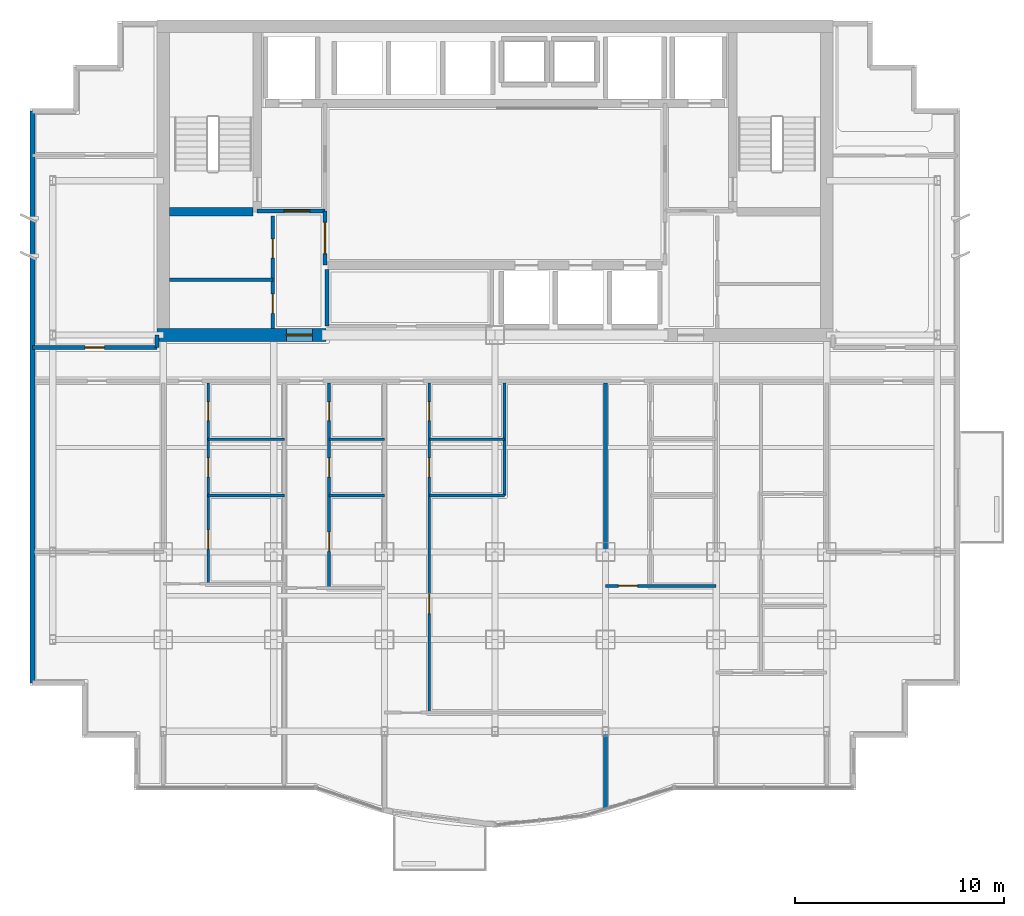
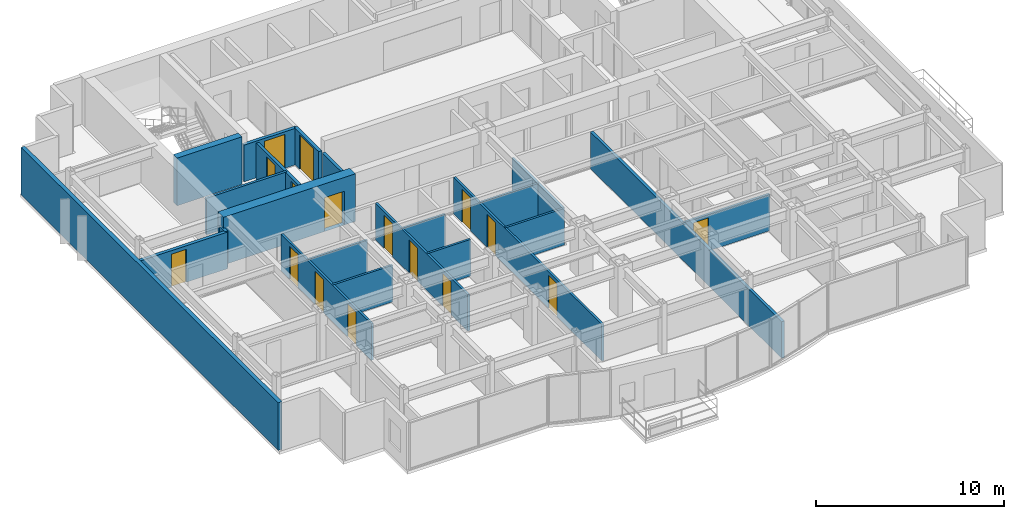
# One storey, part 6 of 11: 22 walls, 16 doors, 16 openings.
"""IFC4 building model written with IfcOpenShell, lengths in metres."""

import ifcopenshell
import ifcopenshell.guid

model = None  # the IFC model being written
_history = None  # IfcOwnerHistory: only IFC2X3 demands one
_inside = {}  # id of a spatial element -> (the spatial element, [elements in it])
_under = {}  # id of a project, library or spatial element -> (it, [spatial elements below it])
_declared = {}  # id of a project -> (the project, [libraries it declares])
_typed = {}  # id of a type object -> (the type object, [elements of that type])
_made_of = {}  # id of a material, layer set ... -> (it, [elements and type objects made of it])


def new_model(schema):
    """Start an empty IFC model of exactly this schema.

    Asked for "IFC4X3", IfcOpenShell would pick the latest addendum, in which some entities
    have other attributes; the version numbers below select the first issue.
    IFC2X3 requires an IfcOwnerHistory on every rooted entity: one is made here for all.
    """
    global model, _history
    if schema == "IFC4X3":
        model = ifcopenshell.file(schema_version=(4, 3, 0, 0))
    else:
        model = ifcopenshell.file(schema=schema)
    _inside.clear()
    _under.clear()
    _declared.clear()
    _typed.clear()
    _made_of.clear()
    _history = None
    if model.schema == "IFC2X3":
        org = make("IfcOrganization", Name="unknown")
        user = make(
            "IfcPersonAndOrganization",
            ThePerson=make("IfcPerson", FamilyName="unknown"),
            TheOrganization=org,
        )
        app = make(
            "IfcApplication",
            ApplicationDeveloper=org,
            Version="unknown",
            ApplicationFullName="unknown",
            ApplicationIdentifier="unknown",
        )
        _history = make(
            "IfcOwnerHistory",
            OwningUser=user,
            OwningApplication=app,
            ChangeAction="ADDED",
            CreationDate=0,
        )
    return model


def make(cls, **values):
    """One entity of the class cls with the attributes given. An attribute that is None is left unset."""
    return model.create_entity(
        cls, **{name: value for name, value in values.items() if value is not None}
    )


def rooted(cls, **values):
    """An entity with a GlobalId (a new one), such as an element, a storey or a relation."""
    return make(cls, GlobalId=ifcopenshell.guid.new(), OwnerHistory=_history, **values)


def si_unit(unit_type, name, prefix=None):
    """IfcSIUnit, for example si_unit("LENGTHUNIT", "METRE", prefix="MILLI")."""
    return make("IfcSIUnit", UnitType=unit_type, Prefix=prefix, Name=name)


def assignment(units):
    """IfcUnitAssignment: the units of a project."""
    return None if units is None else make("IfcUnitAssignment", Units=units)


def point(xyz):
    """IfcCartesianPoint."""
    return None if xyz is None else make("IfcCartesianPoint", Coordinates=xyz)


def direction(xyz):
    """IfcDirection."""
    return None if xyz is None else make("IfcDirection", DirectionRatios=xyz)


def frame(location, z_axis=None, x_axis=None):
    """IfcAxis2Placement3D, a coordinate frame: its origin and axes. An axis left out is left unset."""
    return make(
        "IfcAxis2Placement3D",
        Location=point(location),
        Axis=direction(z_axis),
        RefDirection=direction(x_axis),
    )


def frame_2d(location, x_axis=None):
    """IfcAxis2Placement2D, a coordinate frame in the plane: its origin and x axis."""
    return make(
        "IfcAxis2Placement2D", Location=point(location), RefDirection=direction(x_axis)
    )


def origin():
    """The frame at (0, 0, 0) with its axes left unset."""
    return frame((0.0, 0.0, 0.0))


def place(relative_to, where):
    """IfcLocalPlacement: puts the frame where relative to a parent placement (None: the world)."""
    return make(
        "IfcLocalPlacement", PlacementRelTo=relative_to, RelativePlacement=where
    )


def context(
    kind, dimensions, precision=None, world=None, true_north=None, identifier=None
):
    """IfcGeometricRepresentationContext, for example the 3D "Model" context."""
    return make(
        "IfcGeometricRepresentationContext",
        ContextIdentifier=identifier,
        ContextType=kind,
        CoordinateSpaceDimension=dimensions,
        Precision=precision,
        WorldCoordinateSystem=world,
        TrueNorth=true_north,
    )


def subcontext(parent, identifier, kind, view, scale=None):
    """IfcGeometricRepresentationSubContext, for example "Body" below "Model"."""
    return make(
        "IfcGeometricRepresentationSubContext",
        ContextIdentifier=identifier,
        ContextType=kind,
        ParentContext=parent,
        TargetScale=scale,
        TargetView=view,
    )


def project(units=None, contexts=None):
    """IfcProject with its units and contexts."""
    return rooted(
        "IfcProject",
        Name="project",
        RepresentationContexts=contexts,
        UnitsInContext=assignment(units),
    )


def spatial(cls, under=None, at=None, **own):
    """A site, building, storey or space (cls), placed at a placement, below another one or the project."""
    s = rooted(cls, ObjectPlacement=at, **own)
    if under is not None:
        _under.setdefault(under.id(), (under, []))[1].append(s)
    return s


def profile(cls, at=None, kind="AREA", **sizes):
    """A parametric profile (cls). Its sizes go by their IFC names, for example OverallWidth=200.0."""
    return make(cls, ProfileType=kind, Position=at, **sizes)


def rectangle(**sizes):
    """IfcRectangleProfileDef."""
    return profile("IfcRectangleProfileDef", **sizes)


def extrude(swept, where, along, depth):
    """IfcExtrudedAreaSolid: the profile swept, set in the frame where, extruded along a direction by depth."""
    return make(
        "IfcExtrudedAreaSolid",
        SweptArea=swept,
        Position=where,
        ExtrudedDirection=direction(along),
        Depth=depth,
    )


def shape(context_of_items, identifier, shape_type, items):
    """IfcShapeRepresentation: the items that make up one representation, for example the "Body"."""
    return make(
        "IfcShapeRepresentation",
        ContextOfItems=context_of_items,
        RepresentationIdentifier=identifier,
        RepresentationType=shape_type,
        Items=items,
    )


def material(Name=None, Category=None):
    """IfcMaterial."""
    return make("IfcMaterial", Name=Name, Category=Category)


def layer(
    of_material, thickness, ventilated=None, Name=None, Category=None, Priority=None
):
    """IfcMaterialLayer: one layer of a wall or slab, of a material (None: an air gap)."""
    return make(
        "IfcMaterialLayer",
        Material=of_material,
        LayerThickness=thickness,
        IsVentilated=ventilated,
        Name=Name,
        Category=Category,
        Priority=Priority,
    )


def layer_set(layers, Name=None):
    """IfcMaterialLayerSet."""
    return make("IfcMaterialLayerSet", MaterialLayers=layers, LayerSetName=Name)


def made_of(thing, what):
    """Note that an element or type object is made of a material, layer set ...; save() writes the relation."""
    if what is not None:
        _made_of.setdefault(what.id(), (what, []))[1].append(thing)
    return thing


def type_object(cls, material=None, **own):
    """A type object (cls), such as IfcWallType, which elements share."""
    return made_of(rooted(cls, **own), material)


def element(
    cls,
    number,
    at=None,
    inside=None,
    cuts=None,
    type_object=None,
    material=None,
    context=None,
    identifier="Body",
    shape_type=None,
    held_by="IfcProductDefinitionShape",
    body=None,
    shapes=None,
    **own,
):
    """One element of the class cls, such as IfcWall. Its Tag is "e" and its number.

    at: its placement. inside: the storey or other place that contains it. cuts: it is an
    opening in that element (IfcRelVoidsElement). A single representation is given by context,
    identifier, shape_type and body (its items); several are given by shapes. held_by: the class
    of the entity that holds the representations. save() writes the other relations.
    """
    e = rooted(cls, Tag="e%d" % number, ObjectPlacement=at, **own)
    if body is not None:
        shapes = [shape(context, identifier, shape_type, body)]
    if shapes is not None:
        e.Representation = make(held_by, Representations=shapes)
    if inside is not None:
        _inside.setdefault(inside.id(), (inside, []))[1].append(e)
    if cuts is not None:
        rooted(
            "IfcRelVoidsElement", RelatingBuildingElement=cuts, RelatedOpeningElement=e
        )
    if type_object is not None:
        _typed.setdefault(type_object.id(), (type_object, []))[1].append(e)
    return made_of(e, material)


def fill(opening, filler):
    """IfcRelFillsElement: the door or window that sits in an opening."""
    return rooted(
        "IfcRelFillsElement",
        RelatingOpeningElement=opening,
        RelatedBuildingElement=filler,
    )


def aggregate(whole, parts):
    """IfcRelAggregates: a whole, such as a stair, and the parts it consists of."""
    return rooted("IfcRelAggregates", RelatingObject=whole, RelatedObjects=parts)


def save(model, path):
    """Write the relations noted so far, then the file.

    IfcRelAggregates (storeys below a building ...), IfcRelContainedInSpatialStructure (elements
    in a storey), IfcRelDefinesByType, IfcRelAssociatesMaterial and IfcRelDeclares: one each for
    every whole, place, type object, material and project.
    """
    for whole, parts in _under.values():
        aggregate(whole, parts)
    for where, things in _inside.values():
        rooted(
            "IfcRelContainedInSpatialStructure",
            RelatedElements=things,
            RelatingStructure=where,
        )
    for kind, things in _typed.values():
        rooted("IfcRelDefinesByType", RelatedObjects=things, RelatingType=kind)
    for what, things in _made_of.values():
        rooted("IfcRelAssociatesMaterial", RelatedObjects=things, RelatingMaterial=what)
    for by, libraries in _declared.values():
        rooted("IfcRelDeclares", RelatingContext=by, RelatedDefinitions=libraries)
    model.write(path)


model = new_model("IFC4")

# Units and contexts
model_context = context("Model", 3, precision=1e-05, world=origin(), true_north=direction((0.0, 1.0)))
body_context = subcontext(model_context, "Body", "Model", "MODEL_VIEW")
ifc_project = project(units=[si_unit("LENGTHUNIT", "METRE"), si_unit("AREAUNIT", "SQUARE_METRE"), si_unit("VOLUMEUNIT", "CUBIC_METRE"), si_unit("PLANEANGLEUNIT", "RADIAN"), si_unit("MASSUNIT", "GRAM", prefix="KILO")], contexts=[model_context])

# Site, building, storey
site_placement = place(None, origin())
site = spatial("IfcSite", under=ifc_project, at=site_placement, CompositionType="ELEMENT")
building_placement = place(site_placement, origin())
building = spatial("IfcBuilding", under=site, at=building_placement, Name="Qianlan Lanfeng Residences", CompositionType="ELEMENT")
storey_placement = place(building_placement, frame((0.0, 0.0, 145.800048828125)))
storey = spatial("IfcBuildingStorey", under=building, at=storey_placement, Name="L39", CompositionType="ELEMENT", Elevation=145.800048828125)

# Wall
ifc_material_1 = material(Name="Concrete C56", Category="concrete")
ifc_layer_1 = layer(ifc_material_1, 0.39990234375)
ifc_layer_set_1 = layer_set([ifc_layer_1], Name="Concrete C56")
wall_type_1 = type_object("IfcWallType", Name="CW-RC-400", PredefinedType="SHEAR", material=ifc_layer_set_1)
wall_1_placement = place(storey_placement, frame((10.89990234375, 31.10009765625, 0.0), z_axis=(0.0, 0.0, 1.0), x_axis=(1.0, 0.0, 0.0)))
element("IfcWall", 1, at=wall_1_placement, inside=storey, type_object=wall_type_1, Name="L39 Core Shear Wall ST1S", PredefinedType="SHEAR", context=body_context, shape_type="SweptSolid", body=[
    extrude(rectangle(XDim=4.0, YDim=0.39990234375, at=frame_2d((2.0, 0.0))), origin(), (0.0, 0.0, 1.0), 3.099853515625),
])

# Wall, opening, door
ifc_layer_2 = layer(ifc_material_1, 0.60009765625)
ifc_layer_set_2 = layer_set([ifc_layer_2], Name="Concrete C56")
wall_type_2 = type_object("IfcWallType", Name="CW-RC-600", PredefinedType="SHEAR", material=ifc_layer_set_2)
wall_2_placement = place(storey_placement, frame((10.300048828125, 25.199951171875, 0.0), z_axis=(0.0, 0.0, 1.0), x_axis=(1.0, 0.0, 0.0)))
wall_2 = element("IfcWall", 2, at=wall_2_placement, inside=storey, type_object=wall_type_2, Name="L39 Core Shear Wall SW", PredefinedType="SHEAR", context=body_context, shape_type="SweptSolid", body=[
    extrude(rectangle(XDim=8.099853515625, YDim=0.60009765625, at=frame_2d((4.0498046875, 0.0))), origin(), (0.0, 0.0, 1.0), 3.099853515625),
])
opening_1_placement = place(wall_2_placement, frame((6.199951171875, 0.0, 0.0)))
opening_1 = element("IfcOpeningElement", 3, at=opening_1_placement, cuts=wall_2, Name="Opening L39-D01", PredefinedType="OPENING", context=body_context, shape_type="SweptSolid", body=[
    extrude(rectangle(XDim=1.25, YDim=2.199951171875, at=frame_2d((0.625, 1.10009765625))), frame((0.0, 0.31005859375, 0.0), z_axis=(0.0, -1.0, 0.0), x_axis=(1.0, 0.0, 0.0)), (0.0, 0.0, 1.0), 0.6201171875),
])
ifc_material_2 = material(Name="Painted Galvanised Steel Fire Door", Category="steel")
door_type_1 = type_object("IfcDoorType", Name="DT-FFL", OperationType="NOTDEFINED", PredefinedType="DOOR", material=ifc_material_2)
door_1_placement = place(opening_1_placement, frame((1.25, 0.0, 0.0), z_axis=(0.0, 0.0, 1.0), x_axis=(-1.0, 0.0, 0.0)))
door_1 = element("IfcDoor", 4, at=door_1_placement, inside=storey, type_object=door_type_1, Name="L39 West Core Lobby Smoke Door L39-D01 (DT-FFL)", OperationType="SINGLE_SWING_RIGHT", OverallHeight=2.199951171875, OverallWidth=1.25, PredefinedType="DOOR", context=body_context, shape_type="SweptSolid", body=[
    extrude(rectangle(XDim=1.25, YDim=2.199951171875, at=frame_2d((0.625, 1.10009765625))), frame((0.0, 0.02490234375, 0.0), z_axis=(0.0, -1.0, 0.0), x_axis=(1.0, 0.0, 0.0)), (0.0, 0.0, 1.0), 0.050048828125),
])
fill(opening_1, door_1)

# Wall
ifc_material_3 = material(Name="Concrete C42", Category="concrete")
ifc_layer_3 = layer(ifc_material_3, 0.239990234375)
ifc_layer_set_3 = layer_set([ifc_layer_3], Name="Concrete C42")
wall_type_3 = type_object("IfcWallType", Name="EW-240", PredefinedType="SOLIDWALL", material=ifc_layer_set_3)
wall_3_placement = place(storey_placement, frame((4.320068359375, 35.929931640625, 0.0), z_axis=(0.0, 0.0, 1.0), x_axis=(0.0, -1.0, 0.0)))
element("IfcWall", 5, at=wall_3_placement, inside=storey, type_object=wall_type_3, Name="L39 Exterior Facade Spandrel Wall 21", PredefinedType="SOLIDWALL", context=body_context, shape_type="SweptSolid", body=[
    extrude(rectangle(XDim=27.409912109375, YDim=0.239990234375, at=frame_2d((13.705078125, 0.0))), origin(), (0.0, 0.0, 1.0), 3.099853515625),
])

# Wall, openings, doors
ifc_material_4 = material(Name="Moisture-Resistant Gypsum Partition 135 mm")
ifc_layer_4 = layer(ifc_material_4, 0.135009765625)
ifc_layer_set_4 = layer_set([ifc_layer_4], Name="Moisture-Resistant Gypsum Partition 135 mm")
wall_type_4 = type_object("IfcWallType", Name="PW-135", PredefinedType="PARTITIONING", material=ifc_layer_set_4)
wall_4_placement = place(storey_placement, frame((12.75, 13.27490234375, 0.0), z_axis=(0.0, 0.0, 1.0), x_axis=(0.0, 1.0, 0.0)))
wall_4 = element("IfcWall", 6, at=wall_4_placement, inside=storey, type_object=wall_type_4, Name="L39 U01 Entry Hall Spine", PredefinedType="PARTITIONING", context=body_context, shape_type="SweptSolid", body=[
    extrude(rectangle(XDim=9.625, YDim=0.135009765625, at=frame_2d((4.8125, 0.0))), origin(), (0.0, 0.0, 1.0), 2.3798828125),
])
opening_2_placement = place(wall_4_placement, frame((1.653076171875, 0.0, 0.0)))
opening_2 = element("IfcOpeningElement", 7, at=opening_2_placement, cuts=wall_4, Name="Opening L39-D18", PredefinedType="OPENING", context=body_context, shape_type="SweptSolid", body=[
    extrude(rectangle(XDim=0.919921875, YDim=2.14990234375, at=frame_2d((0.4599609375, 1.074951171875))), frame((0.0, 0.07763671875, 0.0), z_axis=(0.0, -1.0, 0.0), x_axis=(1.0, 0.0, 0.0)), (0.0, 0.0, 1.0), 0.155029296875),
])
opening_3_placement = place(wall_4_placement, frame((5.114990234375, 0.0, 0.0)))
opening_3 = element("IfcOpeningElement", 8, at=opening_3_placement, cuts=wall_4, Name="Opening L39-D19", PredefinedType="OPENING", context=body_context, shape_type="SweptSolid", body=[
    extrude(rectangle(XDim=0.919921875, YDim=2.14990234375, at=frame_2d((0.4599609375, 1.074951171875))), frame((0.0, 0.07763671875, 0.0), z_axis=(0.0, -1.0, 0.0), x_axis=(1.0, 0.0, 0.0)), (0.0, 0.0, 1.0), 0.155029296875),
])
opening_4_placement = place(wall_4_placement, frame((7.824951171875, 0.0, 0.0)))
opening_4 = element("IfcOpeningElement", 9, at=opening_4_placement, cuts=wall_4, Name="Opening L39-D20", PredefinedType="OPENING", context=body_context, shape_type="SweptSolid", body=[
    extrude(rectangle(XDim=0.89990234375, YDim=2.14990234375, at=frame_2d((0.449951171875, 1.074951171875))), frame((0.0, 0.07763671875, 0.0), z_axis=(0.0, -1.0, 0.0), x_axis=(1.0, 0.0, 0.0)), (0.0, 0.0, 1.0), 0.155029296875),
])
ifc_material_5 = material(Name="Glazed Timber Kitchen/Study Door", Category="wood")
door_type_2 = type_object("IfcDoorType", Name="DT-INT", OperationType="NOTDEFINED", PredefinedType="DOOR", material=ifc_material_5)
door_2_placement = place(opening_2_placement, origin())
door_2 = element("IfcDoor", 10, at=door_2_placement, inside=storey, type_object=door_type_2, Name="L39 U01 Study Door L39-D18 (DT-INT)", OperationType="SINGLE_SWING_RIGHT", OverallHeight=2.14990234375, OverallWidth=0.919921875, PredefinedType="DOOR", context=body_context, shape_type="SweptSolid", body=[
    extrude(rectangle(XDim=0.919921875, YDim=2.14990234375, at=frame_2d((0.4599609375, 1.074951171875))), frame((0.0, 0.02490234375, 0.0), z_axis=(0.0, -1.0, 0.0), x_axis=(1.0, 0.0, 0.0)), (0.0, 0.0, 1.0), 0.050048828125),
])
fill(opening_2, door_2)
door_3_placement = place(opening_3_placement, origin())
door_3 = element("IfcDoor", 11, at=door_3_placement, inside=storey, type_object=door_type_2, Name="L39 U01 Kitchen Door L39-D19 (DT-INT)", OperationType="SINGLE_SWING_LEFT", OverallHeight=2.14990234375, OverallWidth=0.919921875, PredefinedType="DOOR", context=body_context, shape_type="SweptSolid", body=[
    extrude(rectangle(XDim=0.919921875, YDim=2.14990234375, at=frame_2d((0.4599609375, 1.074951171875))), frame((0.0, 0.02490234375, 0.0), z_axis=(0.0, -1.0, 0.0), x_axis=(1.0, 0.0, 0.0)), (0.0, 0.0, 1.0), 0.050048828125),
])
fill(opening_3, door_3)
ifc_material_6 = material(Name="Moisture-Resistant Timber Leaf", Category="wood")
door_type_3 = type_object("IfcDoorType", Name="DT-WC", OperationType="NOTDEFINED", PredefinedType="DOOR", material=ifc_material_6)
door_4_placement = place(opening_4_placement, origin())
door_4 = element("IfcDoor", 12, at=door_4_placement, inside=storey, type_object=door_type_3, Name="L39 U01 Bathroom Door L39-D20 (DT-WC)", OperationType="SINGLE_SWING_RIGHT", OverallHeight=2.14990234375, OverallWidth=0.89990234375, PredefinedType="DOOR", context=body_context, shape_type="SweptSolid", body=[
    extrude(rectangle(XDim=0.89990234375, YDim=2.14990234375, at=frame_2d((0.449951171875, 1.074951171875))), frame((0.0, 0.02490234375, 0.0), z_axis=(0.0, -1.0, 0.0), x_axis=(1.0, 0.0, 0.0)), (0.0, 0.0, 1.0), 0.050048828125),
])
fill(opening_4, door_4)

# Walls
for number, where, z_axis, x_axis, name in (
    (13, (12.75, 17.5, 0.0), (0.0, 0.0, 1.0), (1.0, 0.0, 0.0), "L39 U01 Kitchen South Wall"),
    (14, (12.75, 20.199951171875, 0.0), (0.0, 0.0, 1.0), (1.0, 0.0, 0.0), "L39 U01 Bathroom South Wall"),
):
    element("IfcWall", number, at=place(storey_placement, frame(where, z_axis=z_axis, x_axis=x_axis)), inside=storey, type_object=wall_type_4, Name=name, PredefinedType="PARTITIONING", context=body_context, shape_type="SweptSolid", body=[
        extrude(rectangle(XDim=3.64990234375, YDim=0.135009765625, at=frame_2d((1.824951171875, 0.0))), origin(), (0.0, 0.0, 1.0), 2.3798828125),
    ])

# Wall, openings, doors
wall_5_placement = place(storey_placement, frame((18.550048828125, 13.075927734375, 0.0), z_axis=(0.0, 0.0, 1.0), x_axis=(0.0, 1.0, 0.0)))
wall_5 = element("IfcWall", 15, at=wall_5_placement, inside=storey, type_object=wall_type_4, Name="L39 U02 Entry Hall Spine", PredefinedType="PARTITIONING", context=body_context, shape_type="SweptSolid", body=[
    extrude(rectangle(XDim=9.823974609375, YDim=0.135009765625, at=frame_2d((4.912109375, 0.0))), origin(), (0.0, 0.0, 1.0), 2.3798828125),
])
opening_5_placement = place(wall_5_placement, frame((1.751953125, 0.0, 0.0)))
opening_5 = element("IfcOpeningElement", 16, at=opening_5_placement, cuts=wall_5, Name="Opening L39-D23", PredefinedType="OPENING", context=body_context, shape_type="SweptSolid", body=[
    extrude(rectangle(XDim=0.919921875, YDim=2.14990234375, at=frame_2d((0.4599609375, 1.074951171875))), frame((0.0, 0.07763671875, 0.0), z_axis=(0.0, -1.0, 0.0), x_axis=(1.0, 0.0, 0.0)), (0.0, 0.0, 1.0), 0.155029296875),
])
opening_6_placement = place(wall_5_placement, frame((5.31396484375, 0.0, 0.0)))
opening_6 = element("IfcOpeningElement", 17, at=opening_6_placement, cuts=wall_5, Name="Opening L39-D24", PredefinedType="OPENING", context=body_context, shape_type="SweptSolid", body=[
    extrude(rectangle(XDim=0.919921875, YDim=2.14990234375, at=frame_2d((0.4599609375, 1.074951171875))), frame((0.0, 0.07763671875, 0.0), z_axis=(0.0, -1.0, 0.0), x_axis=(1.0, 0.0, 0.0)), (0.0, 0.0, 1.0), 0.155029296875),
])
opening_7_placement = place(wall_5_placement, frame((8.02392578125, 0.0, 0.0)))
opening_7 = element("IfcOpeningElement", 18, at=opening_7_placement, cuts=wall_5, Name="Opening L39-D25", PredefinedType="OPENING", context=body_context, shape_type="SweptSolid", body=[
    extrude(rectangle(XDim=0.89990234375, YDim=2.14990234375, at=frame_2d((0.449951171875, 1.074951171875))), frame((0.0, 0.07763671875, 0.0), z_axis=(0.0, -1.0, 0.0), x_axis=(1.0, 0.0, 0.0)), (0.0, 0.0, 1.0), 0.155029296875),
])
door_5_placement = place(opening_5_placement, origin())
door_5 = element("IfcDoor", 19, at=door_5_placement, inside=storey, type_object=door_type_2, Name="L39 U02 Study Door L39-D23 (DT-INT)", OperationType="SINGLE_SWING_LEFT", OverallHeight=2.14990234375, OverallWidth=0.919921875, PredefinedType="DOOR", context=body_context, shape_type="SweptSolid", body=[
    extrude(rectangle(XDim=0.919921875, YDim=2.14990234375, at=frame_2d((0.4599609375, 1.074951171875))), frame((0.0, 0.02490234375, 0.0), z_axis=(0.0, -1.0, 0.0), x_axis=(1.0, 0.0, 0.0)), (0.0, 0.0, 1.0), 0.050048828125),
])
fill(opening_5, door_5)
door_6_placement = place(opening_6_placement, origin())
door_6 = element("IfcDoor", 20, at=door_6_placement, inside=storey, type_object=door_type_2, Name="L39 U02 Kitchen Door L39-D24 (DT-INT)", OperationType="SINGLE_SWING_RIGHT", OverallHeight=2.14990234375, OverallWidth=0.919921875, PredefinedType="DOOR", context=body_context, shape_type="SweptSolid", body=[
    extrude(rectangle(XDim=0.919921875, YDim=2.14990234375, at=frame_2d((0.4599609375, 1.074951171875))), frame((0.0, 0.02490234375, 0.0), z_axis=(0.0, -1.0, 0.0), x_axis=(1.0, 0.0, 0.0)), (0.0, 0.0, 1.0), 0.050048828125),
])
fill(opening_6, door_6)
door_7_placement = place(opening_7_placement, origin())
door_7 = element("IfcDoor", 21, at=door_7_placement, inside=storey, type_object=door_type_3, Name="L39 U02 Bathroom Door L39-D25 (DT-WC)", OperationType="SINGLE_SWING_LEFT", OverallHeight=2.14990234375, OverallWidth=0.89990234375, PredefinedType="DOOR", context=body_context, shape_type="SweptSolid", body=[
    extrude(rectangle(XDim=0.89990234375, YDim=2.14990234375, at=frame_2d((0.449951171875, 1.074951171875))), frame((0.0, 0.02490234375, 0.0), z_axis=(0.0, -1.0, 0.0), x_axis=(1.0, 0.0, 0.0)), (0.0, 0.0, 1.0), 0.050048828125),
])
fill(opening_7, door_7)

# Walls
for number, where, z_axis, x_axis, name in (
    (22, (18.550048828125, 17.5, 0.0), (0.0, 0.0, 1.0), (1.0, 0.0, 0.0), "L39 U02 Kitchen South Wall"),
    (23, (18.550048828125, 20.199951171875, 0.0), (0.0, 0.0, 1.0), (1.0, 0.0, 0.0), "L39 U02 Bathroom South Wall"),
):
    element("IfcWall", number, at=place(storey_placement, frame(where, z_axis=z_axis, x_axis=x_axis)), inside=storey, type_object=wall_type_4, Name=name, PredefinedType="PARTITIONING", context=body_context, shape_type="SweptSolid", body=[
        extrude(rectangle(XDim=2.64990234375, YDim=0.135009765625, at=frame_2d((1.324951171875, 0.0))), origin(), (0.0, 0.0, 1.0), 2.3798828125),
    ])

# Wall, openings, doors
wall_6_placement = place(storey_placement, frame((23.35009765625, 7.10302734375, 0.0), z_axis=(0.0, 0.0, 1.0), x_axis=(0.0, 1.0, 0.0)))
wall_6 = element("IfcWall", 24, at=wall_6_placement, inside=storey, type_object=wall_type_4, Name="L39 U03 Entry Hall Spine", PredefinedType="PARTITIONING", context=body_context, shape_type="SweptSolid", body=[
    extrude(rectangle(XDim=15.796875, YDim=0.135009765625, at=frame_2d((7.8984375, 0.0))), origin(), (0.0, 0.0, 1.0), 2.3798828125),
])
opening_8_placement = place(wall_6_placement, frame((4.739013671875, 0.0, 0.0)))
opening_8 = element("IfcOpeningElement", 25, at=opening_8_placement, cuts=wall_6, Name="Opening L39-D28", PredefinedType="OPENING", context=body_context, shape_type="SweptSolid", body=[
    extrude(rectangle(XDim=0.919921875, YDim=2.14990234375, at=frame_2d((0.4599609375, 1.074951171875))), frame((0.0, 0.07763671875, 0.0), z_axis=(0.0, -1.0, 0.0), x_axis=(1.0, 0.0, 0.0)), (0.0, 0.0, 1.0), 0.155029296875),
])
opening_9_placement = place(wall_6_placement, frame((11.287109375, 0.0, 0.0)))
opening_9 = element("IfcOpeningElement", 26, at=opening_9_placement, cuts=wall_6, Name="Opening L39-D29", PredefinedType="OPENING", context=body_context, shape_type="SweptSolid", body=[
    extrude(rectangle(XDim=0.919921875, YDim=2.14990234375, at=frame_2d((0.4599609375, 1.074951171875))), frame((0.0, 0.07763671875, 0.0), z_axis=(0.0, -1.0, 0.0), x_axis=(1.0, 0.0, 0.0)), (0.0, 0.0, 1.0), 0.155029296875),
])
opening_10_placement = place(wall_6_placement, frame((13.9970703125, 0.0, 0.0)))
opening_10 = element("IfcOpeningElement", 27, at=opening_10_placement, cuts=wall_6, Name="Opening L39-D30", PredefinedType="OPENING", context=body_context, shape_type="SweptSolid", body=[
    extrude(rectangle(XDim=0.89990234375, YDim=2.14990234375, at=frame_2d((0.449951171875, 1.074951171875))), frame((0.0, 0.07763671875, 0.0), z_axis=(0.0, -1.0, 0.0), x_axis=(1.0, 0.0, 0.0)), (0.0, 0.0, 1.0), 0.155029296875),
])
door_8_placement = place(opening_8_placement, origin())
door_8 = element("IfcDoor", 28, at=door_8_placement, inside=storey, type_object=door_type_2, Name="L39 U03 Study Door L39-D28 (DT-INT)", OperationType="SINGLE_SWING_RIGHT", OverallHeight=2.14990234375, OverallWidth=0.919921875, PredefinedType="DOOR", context=body_context, shape_type="SweptSolid", body=[
    extrude(rectangle(XDim=0.919921875, YDim=2.14990234375, at=frame_2d((0.4599609375, 1.074951171875))), frame((0.0, 0.02490234375, 0.0), z_axis=(0.0, -1.0, 0.0), x_axis=(1.0, 0.0, 0.0)), (0.0, 0.0, 1.0), 0.050048828125),
])
fill(opening_8, door_8)
door_9_placement = place(opening_9_placement, origin())
door_9 = element("IfcDoor", 29, at=door_9_placement, inside=storey, type_object=door_type_2, Name="L39 U03 Kitchen Door L39-D29 (DT-INT)", OperationType="SINGLE_SWING_LEFT", OverallHeight=2.14990234375, OverallWidth=0.919921875, PredefinedType="DOOR", context=body_context, shape_type="SweptSolid", body=[
    extrude(rectangle(XDim=0.919921875, YDim=2.14990234375, at=frame_2d((0.4599609375, 1.074951171875))), frame((0.0, 0.02490234375, 0.0), z_axis=(0.0, -1.0, 0.0), x_axis=(1.0, 0.0, 0.0)), (0.0, 0.0, 1.0), 0.050048828125),
])
fill(opening_9, door_9)
door_10_placement = place(opening_10_placement, origin())
door_10 = element("IfcDoor", 30, at=door_10_placement, inside=storey, type_object=door_type_3, Name="L39 U03 Bathroom Door L39-D30 (DT-WC)", OperationType="SINGLE_SWING_RIGHT", OverallHeight=2.14990234375, OverallWidth=0.89990234375, PredefinedType="DOOR", context=body_context, shape_type="SweptSolid", body=[
    extrude(rectangle(XDim=0.89990234375, YDim=2.14990234375, at=frame_2d((0.449951171875, 1.074951171875))), frame((0.0, 0.02490234375, 0.0), z_axis=(0.0, -1.0, 0.0), x_axis=(1.0, 0.0, 0.0)), (0.0, 0.0, 1.0), 0.050048828125),
])
fill(opening_10, door_10)

# Walls
wall_7_placement = place(storey_placement, frame((23.35009765625, 17.5, 0.0), z_axis=(0.0, 0.0, 1.0), x_axis=(1.0, 0.0, 0.0)))
element("IfcWall", 31, at=wall_7_placement, inside=storey, type_object=wall_type_4, Name="L39 U03 Kitchen South Wall", PredefinedType="PARTITIONING", context=body_context, shape_type="SweptSolid", body=[
    extrude(rectangle(XDim=3.599853515625, YDim=0.135009765625, at=frame_2d((1.7998046875, 0.0))), origin(), (0.0, 0.0, 1.0), 2.3798828125),
])
wall_8_placement = place(storey_placement, frame((26.949951171875, 17.5, 0.0), z_axis=(0.0, 0.0, 1.0), x_axis=(0.0, 1.0, 0.0)))
element("IfcWall", 32, at=wall_8_placement, inside=storey, type_object=wall_type_4, Name="L39 U03 Dining East Wall", PredefinedType="PARTITIONING", context=body_context, shape_type="SweptSolid", body=[
    extrude(rectangle(XDim=5.39990234375, YDim=0.135009765625, at=frame_2d((2.699951171875, 0.0))), origin(), (0.0, 0.0, 1.0), 2.3798828125),
])
wall_9_placement = place(storey_placement, frame((23.35009765625, 20.199951171875, 0.0), z_axis=(0.0, 0.0, 1.0), x_axis=(1.0, 0.0, 0.0)))
element("IfcWall", 33, at=wall_9_placement, inside=storey, type_object=wall_type_4, Name="L39 U03 Bathroom South Wall", PredefinedType="PARTITIONING", context=body_context, shape_type="SweptSolid", body=[
    extrude(rectangle(XDim=3.599853515625, YDim=0.135009765625, at=frame_2d((1.7998046875, 0.0))), origin(), (0.0, 0.0, 1.0), 2.3798828125),
])

# Wall, opening, door
wall_10_placement = place(storey_placement, frame((31.800048828125, 13.174072265625, 0.0), z_axis=(0.0, 0.0, 1.0), x_axis=(1.0, 0.0, 0.0)))
wall_10 = element("IfcWall", 34, at=wall_10_placement, inside=storey, type_object=wall_type_4, Name="L39 U04 Living Divider", PredefinedType="PARTITIONING", context=body_context, shape_type="SweptSolid", body=[
    extrude(rectangle(XDim=5.300048828125, YDim=0.135009765625, at=frame_2d((2.64990234375, 0.0))), origin(), (0.0, 0.0, 1.0), 2.3798828125),
])
opening_11_placement = place(wall_10_placement, frame((0.614990234375, 0.0, 0.0)))
opening_11 = element("IfcOpeningElement", 35, at=opening_11_placement, cuts=wall_10, Name="Opening L39-D33", PredefinedType="OPENING", context=body_context, shape_type="SweptSolid", body=[
    extrude(rectangle(XDim=0.919921875, YDim=2.14990234375, at=frame_2d((0.4599609375, 1.074951171875))), frame((0.0, 0.07763671875, 0.0), z_axis=(0.0, -1.0, 0.0), x_axis=(1.0, 0.0, 0.0)), (0.0, 0.0, 1.0), 0.155029296875),
])
door_11_placement = place(opening_11_placement, frame((0.919921875, 0.0, 0.0), z_axis=(0.0, 0.0, 1.0), x_axis=(-1.0, 0.0, 0.0)))
door_11 = element("IfcDoor", 36, at=door_11_placement, inside=storey, type_object=door_type_2, Name="L39 U04 Living Passage Door L39-D33 (DT-INT)", OperationType="SINGLE_SWING_RIGHT", OverallHeight=2.14990234375, OverallWidth=0.919921875, PredefinedType="DOOR", context=body_context, shape_type="SweptSolid", body=[
    extrude(rectangle(XDim=0.919921875, YDim=2.14990234375, at=frame_2d((0.4599609375, 1.074951171875))), frame((0.0, 0.02490234375, 0.0), z_axis=(0.0, -1.0, 0.0), x_axis=(1.0, 0.0, 0.0)), (0.0, 0.0, 1.0), 0.050048828125),
])
fill(opening_11, door_11)

# Wall
ifc_material_7 = material(Name="Acoustic Drywall Partition 150 mm")
ifc_layer_5 = layer(ifc_material_7, 0.14990234375)
ifc_layer_set_5 = layer_set([ifc_layer_5], Name="Acoustic Drywall Partition 150 mm")
wall_type_5 = type_object("IfcWallType", Name="PW-150", PredefinedType="PARTITIONING", material=ifc_layer_set_5)
wall_11_placement = place(storey_placement, frame((10.89990234375, 27.85009765625, 0.0), z_axis=(0.0, 0.0, 1.0), x_axis=(1.0, 0.0, 0.0)))
element("IfcWall", 37, at=wall_11_placement, inside=storey, type_object=wall_type_5, Name="L39 Core West Split", PredefinedType="PARTITIONING", context=body_context, shape_type="SweptSolid", body=[
    extrude(rectangle(XDim=4.9501953125, YDim=0.14990234375, at=frame_2d((2.47509765625, 0.0))), origin(), (0.0, 0.0, 1.0), 2.3798828125),
])

# Wall, openings, doors
ifc_material_8 = material(Name="Double-Layer Acoustic Gypsum Stud Wall 180 mm")
ifc_layer_6 = layer(ifc_material_8, 0.179931640625)
ifc_layer_set_6 = layer_set([ifc_layer_6], Name="Double-Layer Acoustic Gypsum Stud Wall 180 mm")
wall_type_6 = type_object("IfcWallType", Name="PW-180", PredefinedType="PARTITIONING", material=ifc_layer_set_6)
wall_12_placement = place(storey_placement, frame((15.85009765625, 25.5, 0.0), z_axis=(0.0, 0.0, 1.0), x_axis=(0.0, 1.0, 0.0)))
wall_12 = element("IfcWall", 38, at=wall_12_placement, inside=storey, type_object=wall_type_6, Name="L39 Core West Service Room Wall", PredefinedType="PARTITIONING", context=body_context, shape_type="SweptSolid", body=[
    extrude(rectangle(XDim=5.39990234375, YDim=0.179931640625, at=frame_2d((2.699951171875, 0.0))), origin(), (0.0, 0.0, 1.0), 2.3798828125),
])
opening_12_placement = place(wall_12_placement, frame((0.739990234375, 0.0, 0.0)))
opening_12 = element("IfcOpeningElement", 39, at=opening_12_placement, cuts=wall_12, Name="Opening L39-D09", PredefinedType="OPENING", context=body_context, shape_type="SweptSolid", body=[
    extrude(rectangle(XDim=0.919921875, YDim=2.14990234375, at=frame_2d((0.4599609375, 1.074951171875))), frame((0.0, 0.10009765625, 0.0), z_axis=(0.0, -1.0, 0.0), x_axis=(1.0, 0.0, 0.0)), (0.0, 0.0, 1.0), 0.199951171875),
])
opening_13_placement = place(wall_12_placement, frame((3.389892578125, 0.0, 0.0)))
opening_13 = element("IfcOpeningElement", 40, at=opening_13_placement, cuts=wall_12, Name="Opening L39-D10", PredefinedType="OPENING", context=body_context, shape_type="SweptSolid", body=[
    extrude(rectangle(XDim=0.919921875, YDim=2.14990234375, at=frame_2d((0.4599609375, 1.074951171875))), frame((0.0, 0.10009765625, 0.0), z_axis=(0.0, -1.0, 0.0), x_axis=(1.0, 0.0, 0.0)), (0.0, 0.0, 1.0), 0.199951171875),
])
door_12_placement = place(opening_12_placement, origin())
door_12 = element("IfcDoor", 41, at=door_12_placement, inside=storey, type_object=door_type_2, Name="L39 Parcel Room Door L39-D09 (DT-INT)", OperationType="SINGLE_SWING_LEFT", OverallHeight=2.14990234375, OverallWidth=0.919921875, PredefinedType="DOOR", context=body_context, shape_type="SweptSolid", body=[
    extrude(rectangle(XDim=0.919921875, YDim=2.14990234375, at=frame_2d((0.4599609375, 1.074951171875))), frame((0.0, 0.02490234375, 0.0), z_axis=(0.0, -1.0, 0.0), x_axis=(1.0, 0.0, 0.0)), (0.0, 0.0, 1.0), 0.050048828125),
])
fill(opening_12, door_12)
door_13_placement = place(opening_13_placement, origin())
door_13 = element("IfcDoor", 42, at=door_13_placement, inside=storey, type_object=door_type_2, Name="L39 Janitor Closet Door L39-D10 (DT-INT)", OperationType="SINGLE_SWING_RIGHT", OverallHeight=2.14990234375, OverallWidth=0.919921875, PredefinedType="DOOR", context=body_context, shape_type="SweptSolid", body=[
    extrude(rectangle(XDim=0.919921875, YDim=2.14990234375, at=frame_2d((0.4599609375, 1.074951171875))), frame((0.0, 0.02490234375, 0.0), z_axis=(0.0, -1.0, 0.0), x_axis=(1.0, 0.0, 0.0)), (0.0, 0.0, 1.0), 0.050048828125),
])
fill(opening_13, door_13)

# Walls
wall_13_placement = place(storey_placement, frame((18.449951171875, 25.6201171875, 0.0), z_axis=(0.0, 0.0, 1.0), x_axis=(0.0, 1.0, 0.0)))
element("IfcWall", 43, at=wall_13_placement, inside=storey, type_object=wall_type_6, Name="L39 Reclaimed Low-Bank Room West Wall", PredefinedType="PARTITIONING", context=body_context, shape_type="SweptSolid", body=[
    extrude(rectangle(XDim=2.72998046875, YDim=0.179931640625, at=frame_2d((1.364990234375, 0.0))), origin(), (0.0, 0.0, 1.0), 2.3798828125),
])
wall_14_placement = place(storey_placement, frame((31.800048828125, 2.509033203125, 0.0), z_axis=(0.0, 0.0, 1.0), x_axis=(0.0, 1.0, 0.0)))
element("IfcWall", 44, at=wall_14_placement, inside=storey, type_object=wall_type_6, Name="L39 Inter-Tenancy Party Wall 4", PredefinedType="PARTITIONING", context=body_context, shape_type="SweptSolid", body=[
    extrude(rectangle(XDim=20.390869140625, YDim=0.179931640625, at=frame_2d((10.1953125, 0.0))), origin(), (0.0, 0.0, 1.0), 2.3798828125),
])

# Wall, opening, door
ifc_material_9 = material(Name="Autoclaved Aerated Concrete Blockwork 200 mm", Category="masonry")
ifc_layer_7 = layer(ifc_material_9, 0.199951171875)
ifc_layer_set_7 = layer_set([ifc_layer_7], Name="Autoclaved Aerated Concrete Blockwork 200 mm")
wall_type_7 = type_object("IfcWallType", Name="PW-200", PredefinedType="PARTITIONING", material=ifc_layer_set_7)
wall_15_placement = place(storey_placement, frame((15.10009765625, 31.14990234375, 0.0), z_axis=(0.0, 0.0, 1.0), x_axis=(1.0, 0.0, 0.0)))
wall_15 = element("IfcWall", 45, at=wall_15_placement, inside=storey, type_object=wall_type_7, Name="L39 Firefighting Lobby 1 South Wall", PredefinedType="PARTITIONING", context=body_context, shape_type="SweptSolid", body=[
    extrude(rectangle(XDim=3.25, YDim=0.199951171875, at=frame_2d((1.625, 0.0))), origin(), (0.0, 0.0, 1.0), 2.3798828125),
])
opening_14_placement = place(wall_15_placement, frame((1.27490234375, 0.0, 0.0)))
opening_14 = element("IfcOpeningElement", 46, at=opening_14_placement, cuts=wall_15, Name="Opening L39-D03", PredefinedType="OPENING", context=body_context, shape_type="SweptSolid", body=[
    extrude(rectangle(XDim=1.25, YDim=2.199951171875, at=frame_2d((0.625, 1.10009765625))), frame((0.0, 0.10986328125, 0.0), z_axis=(0.0, -1.0, 0.0), x_axis=(1.0, 0.0, 0.0)), (0.0, 0.0, 1.0), 0.219970703125),
])
door_14_placement = place(opening_14_placement, origin())
door_14 = element("IfcDoor", 47, at=door_14_placement, inside=storey, type_object=door_type_1, Name="L39 Firefighting Lobby 1 Entry Door L39-D03 (DT-FFL)", OperationType="SINGLE_SWING_LEFT", OverallHeight=2.199951171875, OverallWidth=1.25, PredefinedType="DOOR", context=body_context, shape_type="SweptSolid", body=[
    extrude(rectangle(XDim=1.25, YDim=2.199951171875, at=frame_2d((0.625, 1.10009765625))), frame((0.0, 0.02490234375, 0.0), z_axis=(0.0, -1.0, 0.0), x_axis=(1.0, 0.0, 0.0)), (0.0, 0.0, 1.0), 0.050048828125),
])
fill(opening_14, door_14)

wall_16_placement = place(storey_placement, frame((18.35009765625, 28.550048828125, 0.0), z_axis=(0.0, 0.0, 1.0), x_axis=(0.0, 1.0, 0.0)))
wall_16 = element("IfcWall", 48, at=wall_16_placement, inside=storey, type_object=wall_type_7, Name="L39 Lift Lobby West Connector Wall", PredefinedType="PARTITIONING", context=body_context, shape_type="SweptSolid", body=[
    extrude(rectangle(XDim=2.599853515625, YDim=0.199951171875, at=frame_2d((1.2998046875, 0.0))), origin(), (0.0, 0.0, 1.0), 2.3798828125),
])
opening_15_placement = place(wall_16_placement, frame((0.550048828125, 0.0, 0.0)))
opening_15 = element("IfcOpeningElement", 49, at=opening_15_placement, cuts=wall_16, Name="Opening L39-D13", PredefinedType="OPENING", context=body_context, shape_type="SweptSolid", body=[
    extrude(rectangle(XDim=1.5, YDim=2.25, at=frame_2d((0.75, 1.125))), frame((0.0, 0.10986328125, 0.0), z_axis=(0.0, -1.0, 0.0), x_axis=(1.0, 0.0, 0.0)), (0.0, 0.0, 1.0), 0.219970703125),
])
ifc_material_10 = material(Name="Timber Veneer Acoustic Fire Door", Category="wood")
door_type_4 = type_object("IfcDoorType", Name="DT-COR1", OperationType="NOTDEFINED", PredefinedType="DOOR", material=ifc_material_10)
door_15_placement = place(opening_15_placement, origin())
door_15 = element("IfcDoor", 50, at=door_15_placement, inside=storey, type_object=door_type_4, Name="L39 Lift Lobby West Portal Door L39-D13 (DT-COR1)", OperationType="DOUBLE_DOOR_SINGLE_SWING", OverallHeight=2.25, OverallWidth=1.5, PredefinedType="DOOR", context=body_context, shape_type="SweptSolid", body=[
    extrude(rectangle(XDim=1.5, YDim=2.25, at=frame_2d((0.75, 1.125))), frame((0.0, 0.02490234375, 0.0), z_axis=(0.0, -1.0, 0.0), x_axis=(1.0, 0.0, 0.0)), (0.0, 0.0, 1.0), 0.050048828125),
])
fill(opening_15, door_15)

wall_17_placement = place(storey_placement, frame((4.320068359375, 24.60009765625, 0.0), z_axis=(0.0, 0.0, 1.0), x_axis=(1.0, 0.0, 0.0)))
wall_17 = element("IfcWall", 51, at=wall_17_placement, inside=storey, type_object=wall_type_7, Name="L39 Corridor NW Wall", PredefinedType="PARTITIONING", context=body_context, shape_type="SweptSolid", body=[
    extrude(rectangle(XDim=5.97998046875, YDim=0.199951171875, at=frame_2d((2.989990234375, 0.0))), origin(), (0.0, 0.0, 1.0), 2.3798828125),
])
opening_16_placement = place(wall_17_placement, frame((2.530029296875, 0.0, 0.0)))
opening_16 = element("IfcOpeningElement", 52, at=opening_16_placement, cuts=wall_17, Name="Opening L39-D46", PredefinedType="OPENING", context=body_context, shape_type="SweptSolid", body=[
    extrude(rectangle(XDim=0.919921875, YDim=2.14990234375, at=frame_2d((0.4599609375, 1.074951171875))), frame((0.0, 0.10986328125, 0.0), z_axis=(0.0, -1.0, 0.0), x_axis=(1.0, 0.0, 0.0)), (0.0, 0.0, 1.0), 0.219970703125),
])
door_16_placement = place(opening_16_placement, origin())
door_16 = element("IfcDoor", 53, at=door_16_placement, inside=storey, type_object=door_type_2, Name="L39 WW Amenity Salon Door L39-D46 (DT-INT)", OperationType="SINGLE_SWING_RIGHT", OverallHeight=2.14990234375, OverallWidth=0.919921875, PredefinedType="DOOR", context=body_context, shape_type="SweptSolid", body=[
    extrude(rectangle(XDim=0.919921875, YDim=2.14990234375, at=frame_2d((0.4599609375, 1.074951171875))), frame((0.0, 0.02490234375, 0.0), z_axis=(0.0, -1.0, 0.0), x_axis=(1.0, 0.0, 0.0)), (0.0, 0.0, 1.0), 0.050048828125),
])
fill(opening_16, door_16)

# Wall
wall_18_placement = place(storey_placement, frame((10.300048828125, 24.60009765625, 0.0), z_axis=(0.0, 0.0, 1.0), x_axis=(0.0, 1.0, 0.0)))
element("IfcWall", 54, at=wall_18_placement, inside=storey, type_object=wall_type_7, Name="L39 NW Wing Core Return Wall", PredefinedType="PARTITIONING", context=body_context, shape_type="SweptSolid", body=[
    extrude(rectangle(XDim=0.599853515625, YDim=0.199951171875, at=frame_2d((0.2998046875, 0.0))), origin(), (0.0, 0.0, 1.0), 2.3798828125),
])

save(model, "model.ifc")
